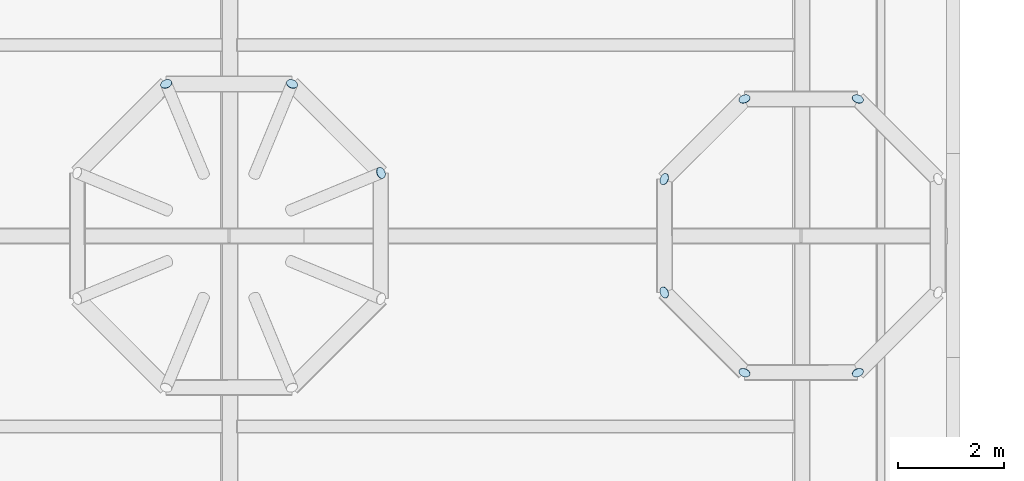
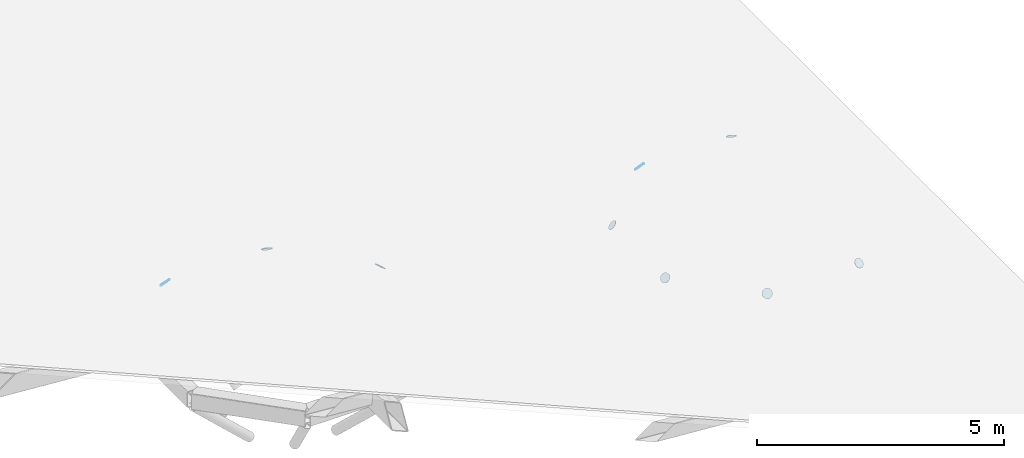
# One storey, part 62 of 95: 9 plates.
"""IFC4 building model written with IfcOpenShell, lengths in metres."""

from ifc_helpers import new_model, si_unit, direction, frame, origin, origin_2d, place, context, subcontext, project, spatial, circle, extrude, material, material_profile, profile_set, type_object, element, save


model = new_model("IFC4")

# Units and contexts
model_context = context("Model", 3, precision=1e-05, world=origin(), true_north=direction((0.0, 1.0)))
body_context = subcontext(model_context, "Body", "Model", "MODEL_VIEW")
ifc_project = project(units=[si_unit("LENGTHUNIT", "METRE"), si_unit("AREAUNIT", "SQUARE_METRE"), si_unit("VOLUMEUNIT", "CUBIC_METRE"), si_unit("PLANEANGLEUNIT", "RADIAN"), si_unit("MASSUNIT", "GRAM", prefix="KILO")], contexts=[model_context])

# Site, building, storey
site_placement = place(None, origin())
site = spatial("IfcSite", under=ifc_project, at=site_placement, CompositionType="ELEMENT")
building_placement = place(site_placement, origin())
building = spatial("IfcBuilding", under=site, at=building_placement, Name="Magnolia Steps Interchange", CompositionType="ELEMENT")
storey_placement = place(building_placement, frame((0.0, 0.0, 4.800048828125)))
storey = spatial("IfcBuildingStorey", under=building, at=storey_placement, Name="L01", CompositionType="ELEMENT", Elevation=4.800048828125)

# Plates
ifc_material = material(Name="Steel Q355B", Category="steel")
ifc_material_profile = material_profile(ifc_material, circle(Radius=0.109619140625, at=origin_2d()), Name="End plate CHS219x10")
ifc_profile_set = profile_set([ifc_material_profile], Name="Steel Q355B")
plate_type = type_object("IfcPlateType", Name="End plate CHS219x10", PredefinedType="SHEET", material=ifc_profile_set)
for number, where, z_axis, x_axis, name in (
    (1, (174.864013671875, 54.38623046875, 1.55615234375), (0.664583318381, 0.275279424158, 0.694658370398), (-0.382683432789, 0.923879532336, 0.0), "End plate Tree rib"),
    (2, (173.186279296875, 56.06396484375, 1.55615234375), (0.275279424158, 0.664583318381, 0.694658370398), (-0.923879532336, 0.382683432789, 0.0), "End plate Tree rib"),
    (3, (170.813720703125, 56.06396484375, 1.55615234375), (-0.275279424158, 0.664583318381, 0.694658370398), (-0.923879532336, -0.382683432789, 0.0), "End plate Tree rib"),
    (4, (183.86865234375, 55.780029296875, 0.7685546875), (0.284874468085, 0.687747805205, 0.667719622199), (-0.923879532665, 0.382683431994, 0.0), "End plate Tree rib"),
    (5, (181.731201171875, 55.780029296875, 0.7685546875), (-0.284874468085, 0.687747805205, 0.667719622199), (-0.923879532665, -0.382683431994, 0.0), "End plate Tree rib"),
    (6, (180.219970703125, 54.268798828125, 0.7685546875), (-0.687747805205, 0.284874468085, 0.667719622199), (-0.382683431994, -0.923879532665, 0.0), "End plate Tree rib"),
    (7, (180.219970703125, 52.13134765625, 0.7685546875), (-0.687747805205, -0.284874468085, 0.667719622199), (0.382683431994, -0.923879532665, 0.0), "End plate Tree rib"),
    (8, (181.731201171875, 50.6201171875, 0.7685546875), (-0.284874468085, -0.687747805205, 0.667719622199), (0.923879532665, -0.382683431994, 0.0), "End plate Tree rib"),
    (9, (183.86865234375, 50.6201171875, 0.7685546875), (0.284874468085, -0.687747805205, 0.667719622199), (0.923879532665, 0.382683431994, 0.0), "End plate Tree rib"),
):
    element("IfcPlate", number, at=place(storey_placement, frame(where, z_axis=z_axis, x_axis=x_axis)), inside=storey, type_object=plate_type, Name=name, PredefinedType="SHEET", context=body_context, shape_type="SweptSolid", body=[
        extrude(circle(Radius=0.109619140625, at=origin_2d()), origin(), (0.0, 0.0, 1.0), 0.008056640625),
    ])

save(model, "model.ifc")
